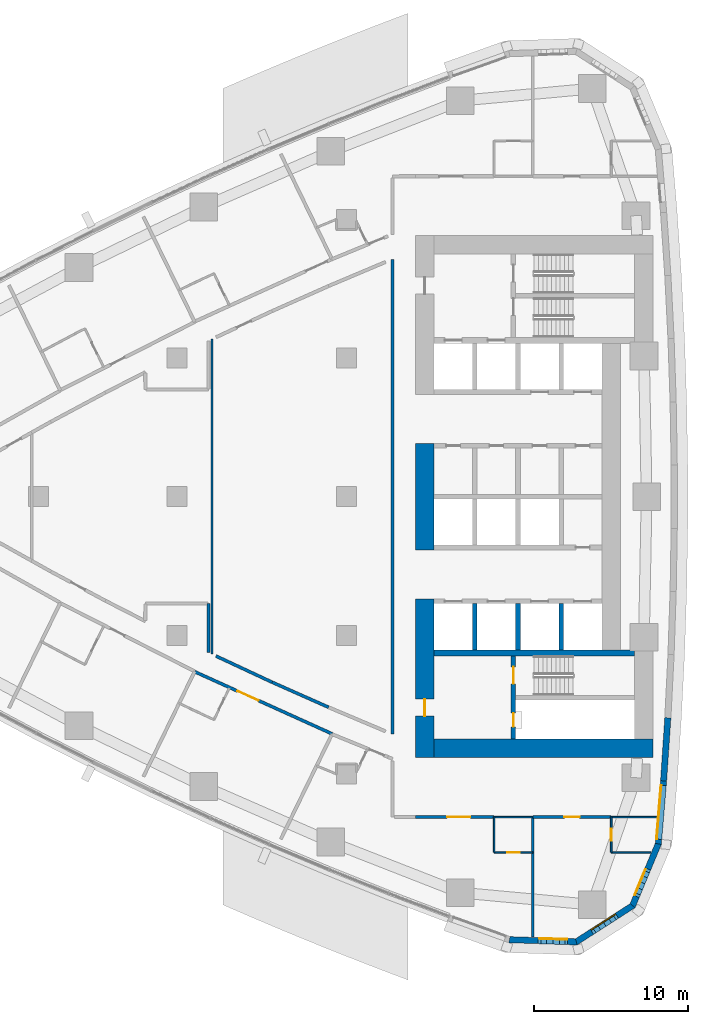
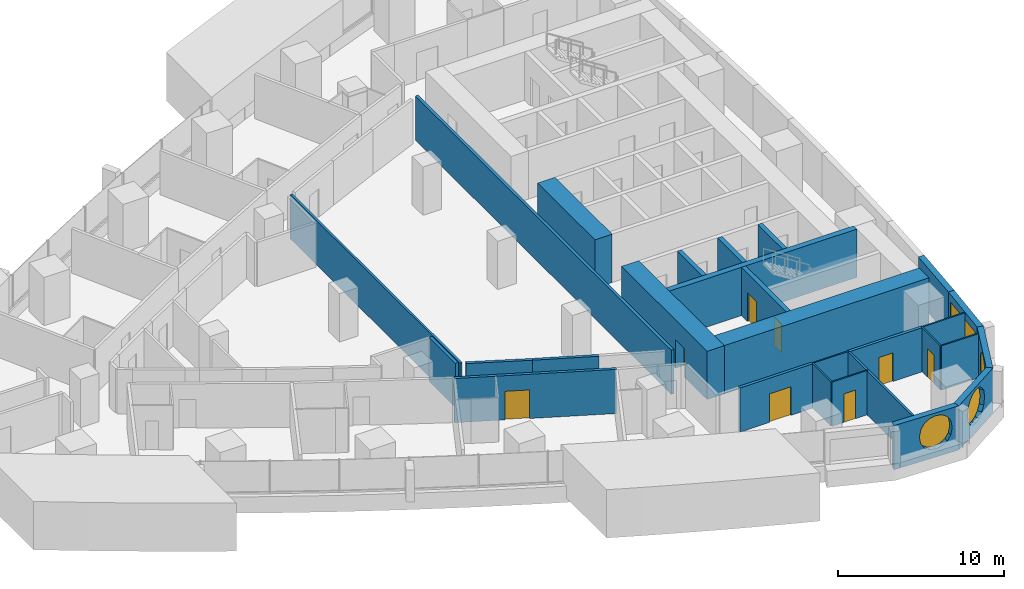
# One storey, part 10 of 18: 28 walls, 8 doors, 4 windows, 12 openings.
"""IFC4 building model written with IfcOpenShell, lengths in metres."""

from ifc_helpers import new_model, si_unit, direction, frame, frame_2d, origin, place, context, subcontext, project, spatial, polyline, rectangle, outline, extrude, material, layer, layer_set, type_object, element, fill, save


model = new_model("IFC4")

# Units and contexts
model_context = context("Model", 3, precision=1e-05, world=origin(), true_north=direction((0.0, 1.0)))
body_context = subcontext(model_context, "Body", "Model", "MODEL_VIEW")
ifc_project = project(units=[si_unit("LENGTHUNIT", "METRE"), si_unit("AREAUNIT", "SQUARE_METRE"), si_unit("VOLUMEUNIT", "CUBIC_METRE"), si_unit("PLANEANGLEUNIT", "RADIAN"), si_unit("MASSUNIT", "GRAM", prefix="KILO")], contexts=[model_context])

# Site, building, storey
site_placement = place(None, origin())
site = spatial("IfcSite", under=ifc_project, at=site_placement, CompositionType="ELEMENT")
building_placement = place(site_placement, origin())
building = spatial("IfcBuilding", under=site, at=building_placement, Name="Ostrand Prow Hotel Tower", CompositionType="ELEMENT")
storey_placement = place(building_placement, frame((0.0, 0.0, 57.35009765625)))
storey = spatial("IfcBuildingStorey", under=building, at=storey_placement, Name="L12", CompositionType="ELEMENT", Elevation=57.35009765625)

# Wall
ifc_material_1 = material(Name="Concrete C80/95", Category="concrete")
ifc_layer_1 = layer(ifc_material_1, 1.199951171875)
ifc_layer_set_1 = layer_set([ifc_layer_1], Name="Concrete C80/95")
wall_type_1 = type_object("IfcWallType", Name="Core wall 1200 C80/95", PredefinedType="SHEAR", material=ifc_layer_set_1)
wall_1_placement = place(storey_placement, frame((50.10009765625, -3.449951171875, 0.0), z_axis=(0.0, 0.0, 1.0), x_axis=(0.0, 1.0, 0.0)))
element("IfcWall", 1, at=wall_1_placement, inside=storey, type_object=wall_type_1, Name="Core wall CW-W-C", PredefinedType="SHEAR", context=body_context, shape_type="SweptSolid", body=[
    extrude(rectangle(XDim=6.89990234375, YDim=1.199951171875, at=frame_2d((3.449951171875, 0.0))), origin(), (0.0, 0.0, 1.0), 3.5498046875),
])

# Wall, opening, door
wall_2_placement = place(storey_placement, frame((50.10009765625, -16.949951171875, 0.0), z_axis=(0.0, 0.0, 1.0), x_axis=(0.0, 1.0, 0.0)))
wall_2 = element("IfcWall", 2, at=wall_2_placement, inside=storey, type_object=wall_type_1, Name="Core wall CW-W-S", PredefinedType="SHEAR", context=body_context, shape_type="SweptSolid", body=[
    extrude(rectangle(XDim=10.300048828125, YDim=1.199951171875, at=frame_2d((5.14990234375, 0.0))), origin(), (0.0, 0.0, 1.0), 3.5498046875),
])
opening_1_placement = place(wall_2_placement, frame((2.699951171875, 0.0, 0.0)))
opening_1 = element("IfcOpeningElement", 3, at=opening_1_placement, cuts=wall_2, Name="Opening FD1", PredefinedType="OPENING", context=body_context, shape_type="SweptSolid", body=[
    extrude(rectangle(XDim=1.10009765625, YDim=2.10009765625, at=frame_2d((0.550048828125, 1.050048828125))), frame((0.0, 0.60986328125, 0.0), z_axis=(0.0, -1.0, 0.0), x_axis=(1.0, 0.0, 0.0)), (0.0, 0.0, 1.0), 1.219970703125),
])
ifc_material_2 = material(Name="Steel fire door", Category="steel")
door_type_1 = type_object("IfcDoorType", Name="Fire door 1100 EI120", OperationType="SINGLE_SWING_RIGHT", PredefinedType="DOOR", material=ifc_material_2)
door_1_placement = place(opening_1_placement, origin())
door_1 = element("IfcDoor", 4, at=door_1_placement, inside=storey, type_object=door_type_1, Name="FIRE DOOR", OperationType="SINGLE_SWING_RIGHT", OverallHeight=2.10009765625, OverallWidth=1.10009765625, PredefinedType="DOOR", context=body_context, shape_type="SweptSolid", body=[
    extrude(rectangle(XDim=1.10009765625, YDim=2.10009765625, at=frame_2d((0.550048828125, 1.050048828125))), frame((0.0, 0.02490234375, 0.0), z_axis=(0.0, -1.0, 0.0), x_axis=(1.0, 0.0, 0.0)), (0.0, 0.0, 1.0), 0.050048828125),
])
fill(opening_1, door_1)

# Walls
wall_3_placement = place(storey_placement, frame((50.699951171875, -16.35009765625, 0.0), z_axis=(0.0, 0.0, 1.0), x_axis=(1.0, 0.0, 0.0)))
element("IfcWall", 5, at=wall_3_placement, inside=storey, type_object=wall_type_1, Name="Core wall CW-S", PredefinedType="SHEAR", context=body_context, shape_type="SweptSolid", body=[
    extrude(rectangle(XDim=14.219970703125, YDim=1.199951171875, at=frame_2d((7.10986328125, 0.0))), origin(), (0.0, 0.0, 1.0), 3.5498046875),
])
ifc_material_3 = material(Name="Concrete C80/95", Category="concrete")
ifc_layer_2 = layer(ifc_material_3, 0.300048828125)
ifc_layer_set_2 = layer_set([ifc_layer_2], Name="Concrete C80/95")
wall_type_2 = type_object("IfcWallType", Name="Core wall 300 C80/95", PredefinedType="SHEAR", material=ifc_layer_set_2)
for number, where, z_axis, x_axis, name in (
    (6, (53.35009765625, -9.949951171875, 0.0), (0.0, 0.0, 1.0), (0.0, 1.0, 0.0), "Core wall PW-R1-SA"),
    (7, (56.14990234375, -9.949951171875, 0.0), (0.0, 0.0, 1.0), (0.0, 1.0, 0.0), "Core wall PW-R2-SA"),
    (8, (58.949951171875, -9.949951171875, 0.0), (0.0, 0.0, 1.0), (0.0, 1.0, 0.0), "Core wall PW-R3-SA"),
):
    element("IfcWall", number, at=place(storey_placement, frame(where, z_axis=z_axis, x_axis=x_axis)), inside=storey, type_object=wall_type_2, Name=name, PredefinedType="SHEAR", context=body_context, shape_type="SweptSolid", body=[
        extrude(rectangle(XDim=3.0, YDim=0.300048828125, at=frame_2d((1.5, 0.0))), origin(), (0.0, 0.0, 1.0), 3.5498046875),
    ])

# Wall, openings, doors
wall_4_placement = place(storey_placement, frame((55.85009765625, -15.75, 0.0), z_axis=(0.0, 0.0, 1.0), x_axis=(0.0, 1.0, 0.0)))
wall_4 = element("IfcWall", 9, at=wall_4_placement, inside=storey, type_object=wall_type_2, Name="Core wall PW-VS", PredefinedType="SHEAR", context=body_context, shape_type="SweptSolid", body=[
    extrude(rectangle(XDim=5.39990234375, YDim=0.300048828125, at=frame_2d((2.699951171875, 0.0))), origin(), (0.0, 0.0, 1.0), 3.5498046875),
])
opening_2_placement = place(wall_4_placement, frame((3.60009765625, 0.0, 0.0)))
opening_2 = element("IfcOpeningElement", 10, at=opening_2_placement, cuts=wall_4, Name="Opening FD1", PredefinedType="OPENING", context=body_context, shape_type="SweptSolid", body=[
    extrude(rectangle(XDim=1.10009765625, YDim=2.10009765625, at=frame_2d((0.550048828125, 1.050048828125))), frame((0.0, 0.159912109375, 0.0), z_axis=(0.0, -1.0, 0.0), x_axis=(1.0, 0.0, 0.0)), (0.0, 0.0, 1.0), 0.320068359375),
])
opening_3_placement = place(wall_4_placement, frame((0.800048828125, 0.0, 0.0)))
opening_3 = element("IfcOpeningElement", 11, at=opening_3_placement, cuts=wall_4, Name="Opening FD2", PredefinedType="OPENING", context=body_context, shape_type="SweptSolid", body=[
    extrude(rectangle(XDim=0.89990234375, YDim=2.10009765625, at=frame_2d((0.449951171875, 1.050048828125))), frame((0.0, 0.159912109375, 0.0), z_axis=(0.0, -1.0, 0.0), x_axis=(1.0, 0.0, 0.0)), (0.0, 0.0, 1.0), 0.320068359375),
])
door_2_placement = place(opening_2_placement, origin())
door_2 = element("IfcDoor", 12, at=door_2_placement, inside=storey, type_object=door_type_1, Name="FIRE DOOR", OperationType="SINGLE_SWING_RIGHT", OverallHeight=2.10009765625, OverallWidth=1.10009765625, PredefinedType="DOOR", context=body_context, shape_type="SweptSolid", body=[
    extrude(rectangle(XDim=1.10009765625, YDim=2.10009765625, at=frame_2d((0.550048828125, 1.050048828125))), frame((0.0, 0.02490234375, 0.0), z_axis=(0.0, -1.0, 0.0), x_axis=(1.0, 0.0, 0.0)), (0.0, 0.0, 1.0), 0.050048828125),
])
fill(opening_2, door_2)
ifc_material_4 = material(Name="Steel fire door", Category="steel")
door_type_2 = type_object("IfcDoorType", Name="Fire door 900 EI120", OperationType="SINGLE_SWING_LEFT", PredefinedType="DOOR", material=ifc_material_4)
door_3_placement = place(opening_3_placement, origin())
door_3 = element("IfcDoor", 13, at=door_3_placement, inside=storey, type_object=door_type_2, Name="FIRE DOOR", OperationType="SINGLE_SWING_LEFT", OverallHeight=2.10009765625, OverallWidth=0.89990234375, PredefinedType="DOOR", context=body_context, shape_type="SweptSolid", body=[
    extrude(rectangle(XDim=0.89990234375, YDim=2.10009765625, at=frame_2d((0.449951171875, 1.050048828125))), frame((0.0, 0.02490234375, 0.0), z_axis=(0.0, -1.0, 0.0), x_axis=(1.0, 0.0, 0.0)), (0.0, 0.0, 1.0), 0.050048828125),
])
fill(opening_3, door_3)

# Walls
ifc_material_5 = material(Name="Concrete C80/95", Category="concrete")
ifc_layer_3 = layer(ifc_material_5, 0.39990234375)
ifc_layer_set_3 = layer_set([ifc_layer_3], Name="Concrete C80/95")
wall_type_3 = type_object("IfcWallType", Name="Core wall 400 C80/95", PredefinedType="SHEAR", material=ifc_layer_set_3)
wall_5_placement = place(storey_placement, frame((50.699951171875, -10.14990234375, 0.0), z_axis=(0.0, 0.0, 1.0), x_axis=(1.0, 0.0, 0.0)))
element("IfcWall", 14, at=wall_5_placement, inside=storey, type_object=wall_type_3, Name="Core wall PW-BS", PredefinedType="SHEAR", context=body_context, shape_type="SweptSolid", body=[
    extrude(rectangle(XDim=13.02001953125, YDim=0.39990234375, at=frame_2d((6.510009765625, 0.0))), origin(), (0.0, 0.0, 1.0), 3.5498046875),
])
ifc_material_6 = material(Name="Plasterboard partition")
ifc_layer_4 = layer(ifc_material_6, 0.10009765625)
ifc_layer_set_4 = layer_set([ifc_layer_4], Name="Plasterboard partition")
wall_type_4 = type_object("IfcWallType", Name="Partition 100 bathroom wall", PredefinedType="PARTITIONING", material=ifc_layer_set_4)
wall_6_placement = place(storey_placement, frame((54.601806640625, -23.10009765625, 0.0), z_axis=(0.0, 0.0, 1.0), x_axis=(0.0, 1.0, 0.0)))
element("IfcWall", 15, at=wall_6_placement, inside=storey, type_object=wall_type_4, Name="BATHROOM WALL", PredefinedType="PARTITIONING", context=body_context, shape_type="SweptSolid", body=[
    extrude(rectangle(XDim=2.300048828125, YDim=0.10009765625, at=frame_2d((1.14990234375, 0.0))), origin(), (0.0, 0.0, 1.0), 3.25),
])

# Wall, opening, door
wall_7_placement = place(storey_placement, frame((57.101806640625, -23.10009765625, 0.0), z_axis=(0.0, 0.0, 1.0), x_axis=(-1.0, 0.0, 0.0)))
wall_7 = element("IfcWall", 16, at=wall_7_placement, inside=storey, type_object=wall_type_4, Name="BATHROOM WALL", PredefinedType="PARTITIONING", context=body_context, shape_type="SweptSolid", body=[
    extrude(rectangle(XDim=2.5, YDim=0.10009765625, at=frame_2d((1.25, 0.0))), origin(), (0.0, 0.0, 1.0), 3.25),
])
opening_4_placement = place(wall_7_placement, frame((0.85009765625, 0.0, 0.0)))
opening_4 = element("IfcOpeningElement", 17, at=opening_4_placement, cuts=wall_7, Name="Opening D2", PredefinedType="OPENING", context=body_context, shape_type="SweptSolid", body=[
    extrude(rectangle(XDim=0.800048828125, YDim=2.10009765625, at=frame_2d((0.39990234375, 1.050048828125))), frame((0.0, 0.06005859375, 0.0), z_axis=(0.0, -1.0, 0.0), x_axis=(1.0, 0.0, 0.0)), (0.0, 0.0, 1.0), 0.1201171875),
])
ifc_material_7 = material(Name="Timber door leaf", Category="wood")
door_type_3 = type_object("IfcDoorType", Name="Bathroom door 800", OperationType="SINGLE_SWING_LEFT", PredefinedType="DOOR", material=ifc_material_7)
door_4_placement = place(opening_4_placement, origin())
door_4 = element("IfcDoor", 18, at=door_4_placement, inside=storey, type_object=door_type_3, Name="DOOR", OperationType="SINGLE_SWING_LEFT", OverallHeight=2.10009765625, OverallWidth=0.800048828125, PredefinedType="DOOR", context=body_context, shape_type="SweptSolid", body=[
    extrude(rectangle(XDim=0.800048828125, YDim=2.10009765625, at=frame_2d((0.39990234375, 1.050048828125))), frame((0.0, 0.02490234375, 0.0), z_axis=(0.0, -1.0, 0.0), x_axis=(1.0, 0.0, 0.0)), (0.0, 0.0, 1.0), 0.050048828125),
])
fill(opening_4, door_4)

# Wall
wall_8_placement = place(storey_placement, frame((64.781494140625, -23.10009765625, 0.0), z_axis=(0.0, 0.0, 1.0), x_axis=(-1.0, 0.0, 0.0)))
element("IfcWall", 19, at=wall_8_placement, inside=storey, type_object=wall_type_4, Name="BATHROOM WALL", PredefinedType="PARTITIONING", context=body_context, shape_type="SweptSolid", body=[
    extrude(rectangle(XDim=2.578125, YDim=0.10009765625, at=frame_2d((1.2890625, 0.0))), origin(), (0.0, 0.0, 1.0), 3.25),
])

# Wall, opening, door
wall_9_placement = place(storey_placement, frame((62.203369140625, -23.10009765625, 0.0), z_axis=(0.0, 0.0, 1.0), x_axis=(0.0, 1.0, 0.0)))
wall_9 = element("IfcWall", 20, at=wall_9_placement, inside=storey, type_object=wall_type_4, Name="BATHROOM WALL", PredefinedType="PARTITIONING", context=body_context, shape_type="SweptSolid", body=[
    extrude(rectangle(XDim=2.300048828125, YDim=0.10009765625, at=frame_2d((1.14990234375, 0.0))), origin(), (0.0, 0.0, 1.0), 3.25),
])
opening_5_placement = place(wall_9_placement, frame((0.75, 0.0, 0.0)))
opening_5 = element("IfcOpeningElement", 21, at=opening_5_placement, cuts=wall_9, Name="Opening D2", PredefinedType="OPENING", context=body_context, shape_type="SweptSolid", body=[
    extrude(rectangle(XDim=0.800048828125, YDim=2.10009765625, at=frame_2d((0.39990234375, 1.050048828125))), frame((0.0, 0.06005859375, 0.0), z_axis=(0.0, -1.0, 0.0), x_axis=(1.0, 0.0, 0.0)), (0.0, 0.0, 1.0), 0.1201171875),
])
door_5_placement = place(opening_5_placement, origin())
door_5 = element("IfcDoor", 22, at=door_5_placement, inside=storey, type_object=door_type_3, Name="DOOR", OperationType="SINGLE_SWING_LEFT", OverallHeight=2.10009765625, OverallWidth=0.800048828125, PredefinedType="DOOR", context=body_context, shape_type="SweptSolid", body=[
    extrude(rectangle(XDim=0.800048828125, YDim=2.10009765625, at=frame_2d((0.39990234375, 1.050048828125))), frame((0.0, 0.02490234375, 0.0), z_axis=(0.0, -1.0, 0.0), x_axis=(1.0, 0.0, 0.0)), (0.0, 0.0, 1.0), 0.050048828125),
])
fill(opening_5, door_5)

# Walls
wall_10_placement = place(storey_placement, frame((54.601806640625, -20.804931640625, 0.0), z_axis=(0.0, 0.0, 1.0), x_axis=(1.0, 0.0, 0.0)))
element("IfcWall", 23, at=wall_10_placement, inside=storey, type_object=wall_type_4, Name="BATHROOM WALL", PredefinedType="PARTITIONING", context=body_context, shape_type="SweptSolid", body=[
    extrude(rectangle(XDim=2.5, YDim=0.10009765625, at=frame_2d((1.25, 0.0))), origin(), (0.0, 0.0, 1.0), 3.25),
])
wall_11_placement = place(storey_placement, frame((62.203369140625, -20.804931640625, 0.0), z_axis=(0.0, 0.0, 1.0), x_axis=(1.0, 0.0, 0.0)))
element("IfcWall", 24, at=wall_11_placement, inside=storey, type_object=wall_type_4, Name="BATHROOM WALL", PredefinedType="PARTITIONING", context=body_context, shape_type="SweptSolid", body=[
    extrude(rectangle(XDim=2.97119140625, YDim=0.10009765625, at=frame_2d((1.485595703125, 0.0))), origin(), (0.0, 0.0, 1.0), 3.25),
])
ifc_material_8 = material(Name="Plasterboard partition")
ifc_layer_5 = layer(ifc_material_8, 0.14990234375)
ifc_layer_set_5 = layer_set([ifc_layer_5], Name="Plasterboard partition")
wall_type_5 = type_object("IfcWallType", Name="Partition 150 room partition", PredefinedType="PARTITIONING", material=ifc_layer_set_5)
wall_12_placement = place(storey_placement, frame((57.101806640625, -28.5869140625, 0.0), z_axis=(0.0, 0.0, 1.0), x_axis=(0.0, 1.0, 0.0)))
element("IfcWall", 25, at=wall_12_placement, inside=storey, type_object=wall_type_5, Name="ROOM PARTITION", PredefinedType="PARTITIONING", context=body_context, shape_type="SweptSolid", body=[
    extrude(rectangle(XDim=7.786865234375, YDim=0.14990234375, at=frame_2d((3.8935546875, 0.0))), origin(), (0.0, 0.0, 1.0), 3.25),
])
wall_13_placement = place(storey_placement, frame((36.28271484375, -10.22509765625, 0.0), z_axis=(0.0, 0.0, 1.0), x_axis=(0.0, 1.0, 0.0)))
element("IfcWall", 26, at=wall_13_placement, inside=storey, type_object=wall_type_5, Name="ROOM PARTITION", PredefinedType="PARTITIONING", context=body_context, shape_type="SweptSolid", body=[
    extrude(rectangle(XDim=20.4501953125, YDim=0.14990234375, at=frame_2d((10.22509765625, 0.0))), origin(), (0.0, 0.0, 1.0), 3.25),
])

# Wall, opening, door
ifc_material_9 = material(Name="Plasterboard partition")
ifc_layer_6 = layer(ifc_material_9, 0.199951171875)
ifc_layer_set_6 = layer_set([ifc_layer_6], Name="Plasterboard partition")
wall_type_6 = type_object("IfcWallType", Name="Partition 200 corridor wall", PredefinedType="PARTITIONING", material=ifc_layer_set_6)
wall_14_placement = place(storey_placement, frame((35.147705078125, -11.3623046875, 0.0), z_axis=(0.0, 0.0, 1.0), x_axis=(0.9111333041, -0.412111759308, 0.0)))
wall_14 = element("IfcWall", 27, at=wall_14_placement, inside=storey, type_object=wall_type_6, Name="CORRIDOR WALL", PredefinedType="PARTITIONING", context=body_context, shape_type="SweptSolid", body=[
    extrude(rectangle(XDim=9.803955078125, YDim=0.199951171875, at=frame_2d((4.90185546875, 0.0))), origin(), (0.0, 0.0, 1.0), 3.25),
])
opening_6_placement = place(wall_14_placement, frame((3.050048828125, 0.0, 0.0)))
opening_6 = element("IfcOpeningElement", 28, at=opening_6_placement, cuts=wall_14, Name="Opening D15", PredefinedType="OPENING", context=body_context, shape_type="SweptSolid", body=[
    extrude(rectangle(XDim=1.5, YDim=2.10009765625, at=frame_2d((0.75, 1.050048828125))), frame((0.0, 0.10986328125, 0.0), z_axis=(0.0, -1.0, 0.0), x_axis=(1.0, 0.0, 0.0)), (0.0, 0.0, 1.0), 0.219970703125),
])
ifc_material_10 = material(Name="Timber door leaf", Category="wood")
door_type_4 = type_object("IfcDoorType", Name="Double door 1500", OperationType="DOUBLE_DOOR_SINGLE_SWING", PredefinedType="DOOR", material=ifc_material_10)
door_6_placement = place(opening_6_placement, origin())
door_6 = element("IfcDoor", 29, at=door_6_placement, inside=storey, type_object=door_type_4, Name="DOOR", OperationType="DOUBLE_DOOR_SINGLE_SWING", OverallHeight=2.10009765625, OverallWidth=1.5, PredefinedType="DOOR", context=body_context, shape_type="SweptSolid", body=[
    extrude(rectangle(XDim=1.5, YDim=2.10009765625, at=frame_2d((0.75, 1.050048828125))), frame((0.0, 0.02490234375, 0.0), z_axis=(0.0, -1.0, 0.0), x_axis=(1.0, 0.0, 0.0)), (0.0, 0.0, 1.0), 0.050048828125),
])
fill(opening_6, door_6)

# Walls
wall_15_placement = place(storey_placement, frame((43.85009765625, -13.67724609375, 0.0), z_axis=(0.0, 0.0, 1.0), x_axis=(-0.913986953061, 0.405743576209, 0.0)))
element("IfcWall", 30, at=wall_15_placement, inside=storey, type_object=wall_type_6, Name="CORRIDOR WALL", PredefinedType="PARTITIONING", context=body_context, shape_type="SweptSolid", body=[
    extrude(rectangle(XDim=4.015869140625, YDim=0.199951171875, at=frame_2d((2.0078125, 0.0))), origin(), (0.0, 0.0, 1.0), 3.25),
])
wall_16_placement = place(storey_placement, frame((40.1796875, -12.0478515625, 0.0), z_axis=(0.0, 0.0, 1.0), x_axis=(-0.906347708834, 0.42253263861, 0.0)))
element("IfcWall", 31, at=wall_16_placement, inside=storey, type_object=wall_type_6, Name="CORRIDOR WALL", PredefinedType="PARTITIONING", context=body_context, shape_type="SweptSolid", body=[
    extrude(rectangle(XDim=4.015625, YDim=0.199951171875, at=frame_2d((2.0078125, 0.0))), origin(), (0.0, 0.0, 1.0), 3.25),
])

# Wall, opening, door
wall_17_placement = place(storey_placement, frame((49.5, -20.804931640625, 0.0), z_axis=(0.0, 0.0, 1.0), x_axis=(1.0, 0.0, 0.0)))
wall_17 = element("IfcWall", 32, at=wall_17_placement, inside=storey, type_object=wall_type_6, Name="CORRIDOR WALL", PredefinedType="PARTITIONING", context=body_context, shape_type="SweptSolid", body=[
    extrude(rectangle(XDim=5.0966796875, YDim=0.199951171875, at=frame_2d((2.54833984375, 0.0))), origin(), (0.0, 0.0, 1.0), 3.25),
])
opening_7_placement = place(wall_17_placement, frame((2.04833984375, 0.0, 0.0)))
opening_7 = element("IfcOpeningElement", 33, at=opening_7_placement, cuts=wall_17, Name="Opening D15", PredefinedType="OPENING", context=body_context, shape_type="SweptSolid", body=[
    extrude(rectangle(XDim=1.5, YDim=2.10009765625, at=frame_2d((0.75, 1.050048828125))), frame((0.0, 0.10986328125, 0.0), z_axis=(0.0, -1.0, 0.0), x_axis=(1.0, 0.0, 0.0)), (0.0, 0.0, 1.0), 0.219970703125),
])
door_7_placement = place(opening_7_placement, origin())
door_7 = element("IfcDoor", 34, at=door_7_placement, inside=storey, type_object=door_type_4, Name="DOOR", OperationType="DOUBLE_DOOR_SINGLE_SWING", OverallHeight=2.10009765625, OverallWidth=1.5, PredefinedType="DOOR", context=body_context, shape_type="SweptSolid", body=[
    extrude(rectangle(XDim=1.5, YDim=2.10009765625, at=frame_2d((0.75, 1.050048828125))), frame((0.0, 0.02490234375, 0.0), z_axis=(0.0, -1.0, 0.0), x_axis=(1.0, 0.0, 0.0)), (0.0, 0.0, 1.0), 0.050048828125),
])
fill(opening_7, door_7)

wall_18_placement = place(storey_placement, frame((57.106689453125, -20.804931640625, 0.0), z_axis=(0.0, 0.0, 1.0), x_axis=(1.0, 0.0, 0.0)))
wall_18 = element("IfcWall", 35, at=wall_18_placement, inside=storey, type_object=wall_type_6, Name="CORRIDOR WALL", PredefinedType="PARTITIONING", context=body_context, shape_type="SweptSolid", body=[
    extrude(rectangle(XDim=5.091552734375, YDim=0.199951171875, at=frame_2d((2.5458984375, 0.0))), origin(), (0.0, 0.0, 1.0), 3.25),
])
opening_8_placement = place(wall_18_placement, frame((2.0458984375, 0.0, 0.0)))
opening_8 = element("IfcOpeningElement", 36, at=opening_8_placement, cuts=wall_18, Name="Opening D1R", PredefinedType="OPENING", context=body_context, shape_type="SweptSolid", body=[
    extrude(rectangle(XDim=1.0, YDim=2.10009765625, at=frame_2d((0.5, 1.050048828125))), frame((0.0, 0.10986328125, 0.0), z_axis=(0.0, -1.0, 0.0), x_axis=(1.0, 0.0, 0.0)), (0.0, 0.0, 1.0), 0.219970703125),
])
ifc_material_11 = material(Name="Timber door leaf", Category="wood")
door_type_5 = type_object("IfcDoorType", Name="Guest room door 1000 right", OperationType="SINGLE_SWING_RIGHT", PredefinedType="DOOR", material=ifc_material_11)
door_8_placement = place(opening_8_placement, origin())
door_8 = element("IfcDoor", 37, at=door_8_placement, inside=storey, type_object=door_type_5, Name="DOOR", OperationType="SINGLE_SWING_RIGHT", OverallHeight=2.10009765625, OverallWidth=1.0, PredefinedType="DOOR", context=body_context, shape_type="SweptSolid", body=[
    extrude(rectangle(XDim=1.0, YDim=2.10009765625, at=frame_2d((0.5, 1.050048828125))), frame((0.0, 0.02490234375, 0.0), z_axis=(0.0, -1.0, 0.0), x_axis=(1.0, 0.0, 0.0)), (0.0, 0.0, 1.0), 0.050048828125),
])
fill(opening_8, door_8)

# Walls
wall_19_placement = place(storey_placement, frame((36.054931640625, -10.1083984375, 0.0), z_axis=(0.0, 0.0, 1.0), x_axis=(-0.00077190251, 0.999999702083, 0.0)))
element("IfcWall", 38, at=wall_19_placement, inside=storey, type_object=wall_type_6, Name="CORRIDOR WALL", PredefinedType="PARTITIONING", context=body_context, shape_type="SweptSolid", body=[
    extrude(rectangle(XDim=3.162841796875, YDim=0.199951171875, at=frame_2d((1.58154296875, 0.0))), origin(), (0.0, 0.0, 1.0), 3.25),
])
wall_20_placement = place(storey_placement, frame((48.0, 15.4140625, 0.0), z_axis=(0.0, 0.0, 1.0), x_axis=(0.0, -1.0, 0.0)))
element("IfcWall", 39, at=wall_20_placement, inside=storey, type_object=wall_type_6, Name="CORRIDOR WALL", PredefinedType="PARTITIONING", context=body_context, shape_type="SweptSolid", body=[
    extrude(rectangle(XDim=30.828125, YDim=0.199951171875, at=frame_2d((15.4140625, 0.0))), origin(), (0.0, 0.0, 1.0), 3.25),
])

# Wall, opening, window
ifc_material_12 = material(Name="Precast concrete C40/50", Category="concrete")
ifc_layer_7 = layer(ifc_material_12, 0.39990234375)
ifc_layer_set_7 = layer_set([ifc_layer_7], Name="Precast concrete C40/50")
wall_type_7 = type_object("IfcWallType", Name="Stone-faced precast wall 400 mm", PredefinedType="NOTDEFINED", material=ifc_layer_set_7)
wall_21_placement = place(storey_placement, frame((55.58984375, -28.767578125, 0.0), z_axis=(0.0, 0.0, 1.0), x_axis=(0.999463576228, -0.032749958686, 0.0)))
wall_21 = element("IfcWall", 40, at=wall_21_placement, inside=storey, type_object=wall_type_7, Name="Stone-faced wall back 2", PredefinedType="NOTDEFINED", context=body_context, shape_type="SweptSolid", body=[
    extrude(outline(polyline([(-0.031494140625, -0.199951171875), (4.40869140625, -0.199951171875), (4.28369140625, 0.199951171875), (0.031494140625, 0.199951171875), (-0.031494140625, -0.199951171875)])), origin(), (0.0, 0.0, 1.0), 3.25),
])
opening_9_placement = place(wall_21_placement, frame((1.724365234375, 0.0, 0.60009765625)))
opening_9 = element("IfcOpeningElement", 41, at=opening_9_placement, cuts=wall_21, Name="Opening WP1", PredefinedType="OPENING", context=body_context, shape_type="SweptSolid", body=[
    extrude(outline(polyline([(0.0, 1.35009765625), (0.083740234375, 1.77099609375), (0.322265625, 2.127685546875), (0.678955078125, 2.3662109375), (1.10009765625, 2.449951171875), (1.52099609375, 2.3662109375), (1.877685546875, 2.127685546875), (2.1162109375, 1.77099609375), (2.199951171875, 1.35009765625), (2.199951171875, 1.10009765625), (2.1162109375, 0.678955078125), (1.877685546875, 0.322265625), (1.52099609375, 0.083740234375), (1.10009765625, 0.0), (0.678955078125, 0.083740234375), (0.322265625, 0.322265625), (0.083740234375, 0.678955078125), (0.0, 1.099853515625), (0.0, 1.35009765625)])), frame((0.0, 0.2099609375, 0.0), z_axis=(0.0, -1.0, 0.0), x_axis=(1.0, 0.0, 0.0)), (0.0, 0.0, 1.0), 0.419921875),
])
ifc_material_13 = material(Name="Insulated glass in bronze frame", Category="glass")
window_type_1 = type_object("IfcWindowType", Name="Round-ended prow window 2200x2450", PartitioningType="SINGLE_PANEL", PredefinedType="WINDOW", material=ifc_material_13)
window_1_placement = place(opening_9_placement, origin())
window_1 = element("IfcWindow", 42, at=window_1_placement, inside=storey, type_object=window_type_1, Name="Window back 2.1", OverallHeight=2.449951171875, OverallWidth=2.199951171875, PartitioningType="SINGLE_PANEL", PredefinedType="WINDOW", context=body_context, shape_type="SweptSolid", body=[
    extrude(outline(polyline([(0.0, 1.35009765625), (0.083740234375, 1.77099609375), (0.322265625, 2.127685546875), (0.678955078125, 2.3662109375), (1.10009765625, 2.449951171875), (1.52099609375, 2.3662109375), (1.877685546875, 2.127685546875), (2.1162109375, 1.77099609375), (2.199951171875, 1.35009765625), (2.199951171875, 1.10009765625), (2.1162109375, 0.678955078125), (1.877685546875, 0.322265625), (1.52099609375, 0.083740234375), (1.10009765625, 0.0), (0.678955078125, 0.083740234375), (0.322265625, 0.322265625), (0.083740234375, 0.678955078125), (0.0, 1.099853515625), (0.0, 1.35009765625)])), frame((0.0, 0.169921875, 0.0), z_axis=(0.0, -1.0, 0.0), x_axis=(1.0, 0.0, 0.0)), (0.0, 0.0, 1.0), 0.06005859375),
])
fill(opening_9, window_1)

wall_22_placement = place(storey_placement, frame((59.93359375, -28.909912109375, 0.0), z_axis=(0.0, 0.0, 1.0), x_axis=(0.840937468718, 0.541132307025, 0.0)))
wall_22 = element("IfcWall", 43, at=wall_22_placement, inside=storey, type_object=wall_type_7, Name="Stone-faced wall back 3", PredefinedType="NOTDEFINED", context=body_context, shape_type="SweptSolid", body=[
    extrude(outline(polyline([(-0.0625, -0.199951171875), (4.40869140625, -0.199951171875), (4.28369140625, 0.199951171875), (0.0625, 0.199951171875), (-0.0625, -0.199951171875)])), origin(), (0.0, 0.0, 1.0), 3.25),
])
opening_10_placement = place(wall_22_placement, frame((1.072998046875, 0.0, 0.60009765625)))
opening_10 = element("IfcOpeningElement", 44, at=opening_10_placement, cuts=wall_22, Name="Opening WP1", PredefinedType="OPENING", context=body_context, shape_type="SweptSolid", body=[
    extrude(outline(polyline([(0.0, 1.35009765625), (0.083740234375, 1.77099609375), (0.322265625, 2.127685546875), (0.678955078125, 2.3662109375), (1.10009765625, 2.449951171875), (1.52099609375, 2.3662109375), (1.877685546875, 2.127685546875), (2.1162109375, 1.77099609375), (2.199951171875, 1.35009765625), (2.199951171875, 1.10009765625), (2.1162109375, 0.678955078125), (1.877685546875, 0.322265625), (1.52099609375, 0.083740234375), (1.10009765625, 0.0), (0.678955078125, 0.083740234375), (0.322265625, 0.322265625), (0.083740234375, 0.678955078125), (0.0, 1.099853515625), (0.0, 1.35009765625)])), frame((0.0, 0.2099609375, 0.0), z_axis=(0.0, -1.0, 0.0), x_axis=(1.0, 0.0, 0.0)), (0.0, 0.0, 1.0), 0.419921875),
])
window_2_placement = place(opening_10_placement, origin())
window_2 = element("IfcWindow", 45, at=window_2_placement, inside=storey, type_object=window_type_1, Name="Window back 3.1", OverallHeight=2.449951171875, OverallWidth=2.199951171875, PartitioningType="SINGLE_PANEL", PredefinedType="WINDOW", context=body_context, shape_type="SweptSolid", body=[
    extrude(outline(polyline([(0.0, 1.35009765625), (0.083740234375, 1.77099609375), (0.322265625, 2.127685546875), (0.678955078125, 2.3662109375), (1.10009765625, 2.449951171875), (1.52099609375, 2.3662109375), (1.877685546875, 2.127685546875), (2.1162109375, 1.77099609375), (2.199951171875, 1.35009765625), (2.199951171875, 1.10009765625), (2.1162109375, 0.678955078125), (1.877685546875, 0.322265625), (1.52099609375, 0.083740234375), (1.10009765625, 0.0), (0.678955078125, 0.083740234375), (0.322265625, 0.322265625), (0.083740234375, 0.678955078125), (0.0, 1.099853515625), (0.0, 1.35009765625)])), frame((0.0, 0.169921875, 0.0), z_axis=(0.0, -1.0, 0.0), x_axis=(1.0, 0.0, 0.0)), (0.0, 0.0, 1.0), 0.06005859375),
])
fill(opening_10, window_2)

wall_23_placement = place(storey_placement, frame((63.58837890625, -26.55810546875, 0.0), z_axis=(0.0, 0.0, 1.0), x_axis=(0.384372042685, 0.923178277908, 0.0)))
wall_23 = element("IfcWall", 46, at=wall_23_placement, inside=storey, type_object=wall_type_7, Name="Stone-faced wall back 4", PredefinedType="NOTDEFINED", context=body_context, shape_type="SweptSolid", body=[
    extrude(outline(polyline([(-0.0625, -0.199951171875), (4.376953125, -0.199951171875), (4.314453125, 0.199951171875), (0.0625, 0.199951171875), (-0.0625, -0.199951171875)])), origin(), (0.0, 0.0, 1.0), 3.25),
])
opening_11_placement = place(wall_23_placement, frame((0.515380859375, 0.0, 0.60009765625)))
opening_11 = element("IfcOpeningElement", 47, at=opening_11_placement, cuts=wall_23, Name="Opening WP1", PredefinedType="OPENING", context=body_context, shape_type="SweptSolid", body=[
    extrude(outline(polyline([(0.0, 1.35009765625), (0.083740234375, 1.77099609375), (0.322265625, 2.127685546875), (0.678955078125, 2.3662109375), (1.10009765625, 2.449951171875), (1.52099609375, 2.3662109375), (1.877685546875, 2.127685546875), (2.1162109375, 1.77099609375), (2.199951171875, 1.35009765625), (2.199951171875, 1.10009765625), (2.1162109375, 0.678955078125), (1.877685546875, 0.322265625), (1.52099609375, 0.083740234375), (1.10009765625, 0.0), (0.678955078125, 0.083740234375), (0.322265625, 0.322265625), (0.083740234375, 0.678955078125), (0.0, 1.099853515625), (0.0, 1.35009765625)])), frame((0.0, 0.2099609375, 0.0), z_axis=(0.0, -1.0, 0.0), x_axis=(1.0, 0.0, 0.0)), (0.0, 0.0, 1.0), 0.419921875),
])
window_3_placement = place(opening_11_placement, origin())
window_3 = element("IfcWindow", 48, at=window_3_placement, inside=storey, type_object=window_type_1, Name="Window back 4.1", OverallHeight=2.449951171875, OverallWidth=2.199951171875, PartitioningType="SINGLE_PANEL", PredefinedType="WINDOW", context=body_context, shape_type="SweptSolid", body=[
    extrude(outline(polyline([(0.0, 1.35009765625), (0.083740234375, 1.77099609375), (0.322265625, 2.127685546875), (0.678955078125, 2.3662109375), (1.10009765625, 2.449951171875), (1.52099609375, 2.3662109375), (1.877685546875, 2.127685546875), (2.1162109375, 1.77099609375), (2.199951171875, 1.35009765625), (2.199951171875, 1.10009765625), (2.1162109375, 0.678955078125), (1.877685546875, 0.322265625), (1.52099609375, 0.083740234375), (1.10009765625, 0.0), (0.678955078125, 0.083740234375), (0.322265625, 0.322265625), (0.083740234375, 0.678955078125), (0.0, 1.099853515625), (0.0, 1.35009765625)])), frame((0.0, 0.169921875, 0.0), z_axis=(0.0, -1.0, 0.0), x_axis=(1.0, 0.0, 0.0)), (0.0, 0.0, 1.0), 0.06005859375),
])
fill(opening_11, window_3)

wall_24_placement = place(storey_placement, frame((65.2587890625, -22.546142578125, 0.0), z_axis=(0.0, 0.0, 1.0), x_axis=(0.083793550906, 0.996483136248, 0.0)))
wall_24 = element("IfcWall", 49, at=wall_24_placement, inside=storey, type_object=wall_type_7, Name="Stone-faced wall back 5", PredefinedType="NOTDEFINED", context=body_context, shape_type="SweptSolid", body=[
    extrude(outline(polyline([(-0.03125, -0.199951171875), (4.10693359375, -0.199951171875), (4.103515625, 0.199951171875), (0.03125, 0.199951171875), (-0.03125, -0.199951171875)])), origin(), (0.0, 0.0, 1.0), 3.25),
])
opening_12_placement = place(wall_24_placement, frame((0.302490234375, 0.0, 0.89990234375)))
opening_12 = element("IfcOpeningElement", 50, at=opening_12_placement, cuts=wall_24, Name="Opening WS3-35", PredefinedType="OPENING", context=body_context, shape_type="SweptSolid", body=[
    extrude(rectangle(XDim=3.5, YDim=1.800048828125, at=frame_2d((1.75, 0.89990234375))), frame((0.0, 0.2099609375, 0.0), z_axis=(0.0, -1.0, 0.0), x_axis=(1.0, 0.0, 0.0)), (0.0, 0.0, 1.0), 0.419921875),
])
ifc_material_14 = material(Name="Insulated glass in bronze frame", Category="glass")
window_type_2 = type_object("IfcWindowType", Name="Strip window 3500x1800", PartitioningType="SINGLE_PANEL", PredefinedType="WINDOW", material=ifc_material_14)
window_4_placement = place(opening_12_placement, origin())
window_4 = element("IfcWindow", 51, at=window_4_placement, inside=storey, type_object=window_type_2, Name="Window back 5.1", OverallHeight=1.800048828125, OverallWidth=3.5, PartitioningType="SINGLE_PANEL", PredefinedType="WINDOW", context=body_context, shape_type="SweptSolid", body=[
    extrude(rectangle(XDim=3.5, YDim=1.800048828125, at=frame_2d((1.75, 0.89990234375))), frame((0.0, 0.169921875, 0.0), z_axis=(0.0, -1.0, 0.0), x_axis=(1.0, 0.0, 0.0)), (0.0, 0.0, 1.0), 0.06005859375),
])
fill(opening_12, window_4)

# Wall
wall_25_placement = place(storey_placement, frame((65.602783203125, -18.455322265625, 0.0), z_axis=(0.0, 0.0, 1.0), x_axis=(0.067087430225, 0.997747100575, 0.0)))
element("IfcWall", 52, at=wall_25_placement, inside=storey, type_object=wall_type_7, Name="Stone-faced wall back 6", PredefinedType="NOTDEFINED", context=body_context, shape_type="SweptSolid", body=[
    extrude(outline(polyline([(-0.001708984375, -0.199951171875), (4.106689453125, -0.199951171875), (4.103271484375, 0.199951171875), (0.001708984375, 0.199951171875), (-0.001708984375, -0.199951171875)])), origin(), (0.0, 0.0, 1.0), 3.25),
])

save(model, "model.ifc")
